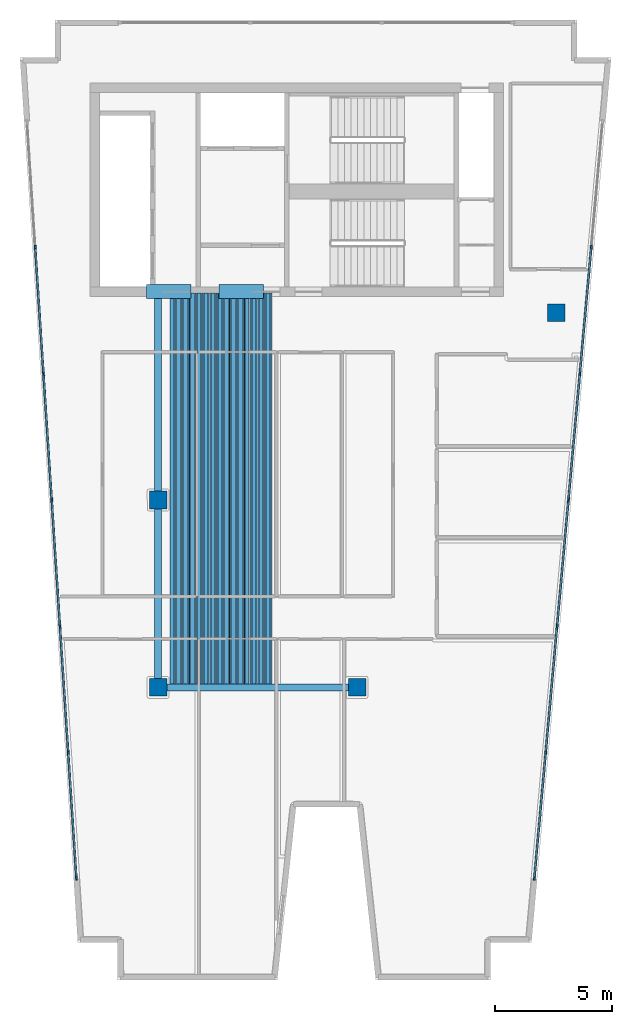
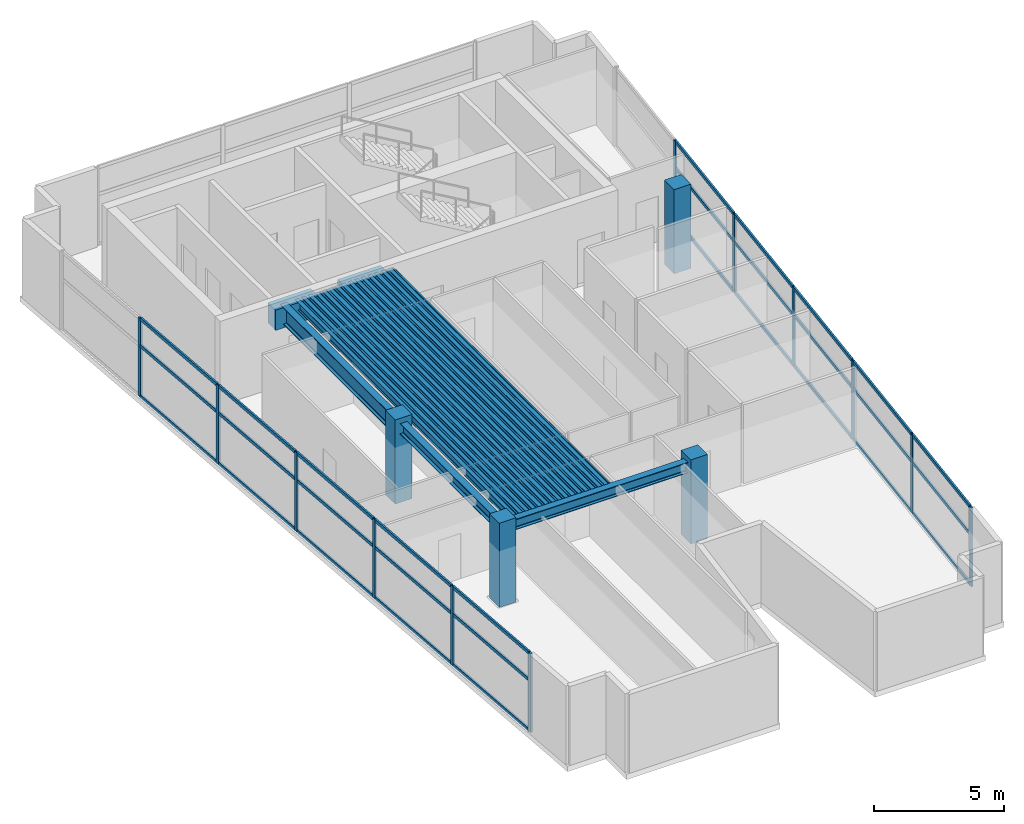
# One storey, part 1 of 7: 42 members, 35 beams, 4 columns, 2 elements without a shape of their own.
"""IFC4 building model written with IfcOpenShell, lengths in metres."""

from ifc_helpers import new_model, si_unit, direction, frame, origin, origin_2d, place, context, subcontext, project, spatial, rectangle, hollow_rectangle, i_section, extrude, material, layer, layer_set, material_profile, profile_set, type_object, element, aggregate, save


model = new_model("IFC4")

# Units and contexts
model_context = context("Model", 3, precision=1e-05, world=origin(), true_north=direction((0.0, 1.0)))
body_context = subcontext(model_context, "Body", "Model", "MODEL_VIEW")
ifc_project = project(units=[si_unit("LENGTHUNIT", "METRE"), si_unit("AREAUNIT", "SQUARE_METRE"), si_unit("VOLUMEUNIT", "CUBIC_METRE"), si_unit("PLANEANGLEUNIT", "RADIAN"), si_unit("MASSUNIT", "GRAM", prefix="KILO")], contexts=[model_context])

# Site, building, storey
site_placement = place(None, origin())
site = spatial("IfcSite", under=ifc_project, at=site_placement, CompositionType="ELEMENT")
building_placement = place(site_placement, origin())
building = spatial("IfcBuilding", under=site, at=building_placement, Name="Caeloran Harvest Quay", CompositionType="ELEMENT")
storey_placement = place(building_placement, frame((0.0, 0.0, 308.050048828125)))
storey = spatial("IfcBuildingStorey", under=building, at=storey_placement, Name="L74", CompositionType="ELEMENT", Elevation=308.050048828125)

# Columns
ifc_material_1 = material(Name="Concrete C60/75", Category="concrete")
ifc_material_profile_1 = material_profile(ifc_material_1, rectangle(XDim=0.75, YDim=0.75, at=origin_2d()), Name="RC 750x750")
ifc_profile_set_1 = profile_set([ifc_material_profile_1], Name="Concrete C60/75")
column_type = type_object("IfcColumnType", Name="COL-MC-5-RC_750x750", PredefinedType="COLUMN", material=ifc_profile_set_1)
for number, where, z_axis, x_axis, name in (
    (1, (8.5, 15.0, 0.0), (0.0, 0.0, 1.0), (1.0, 0.0, 0.0), "L74 Structural Column (8.5, 15.0)"),
    (2, (8.5, 23.0, 0.0), (0.0, 0.0, 1.0), (1.0, 0.0, 0.0), "L74 Structural Column (8.5, 23.0)"),
    (3, (17.0, 15.0, 0.0), (0.0, 0.0, 1.0), (1.0, 0.0, 0.0), "L74 Structural Column (17.0, 15.0)"),
    (4, (25.5, 31.0, 0.0), (0.0, 0.0, 1.0), (1.0, 0.0, 0.0), "L74 Structural Column (25.5, 31.0)"),
):
    element("IfcColumn", number, at=place(storey_placement, frame(where, z_axis=z_axis, x_axis=x_axis)), inside=storey, type_object=column_type, Name=name, PredefinedType="COLUMN", context=body_context, shape_type="SweptSolid", body=[
        extrude(rectangle(XDim=0.75, YDim=0.75, at=origin_2d()), origin(), (0.0, 0.0, 1.0), 3.949951171875),
    ])

# Beams
ifc_material_profile_2 = material_profile(ifc_material_1, rectangle(XDim=0.60009765625, YDim=0.949951171875, at=origin_2d()), Name="RC 600x950")
ifc_profile_set_2 = profile_set([ifc_material_profile_2], Name="Concrete C60/75")
beam_type_1 = type_object("IfcBeamType", Name="BM-CB-2-RC_600x950", PredefinedType="LINTEL", material=ifc_profile_set_2)
for number, where, z_axis, x_axis, name in (
    (5, (8.0, 31.89990234375, 3.224853515625), (1.0, 0.0, 0.0), (0.0, 1.0, 0.0), "L74 Core Coupling Beam 1"),
    (6, (11.10009765625, 31.89990234375, 3.224853515625), (1.0, 0.0, 0.0), (0.0, 1.0, 0.0), "L74 Core Coupling Beam 2"),
):
    element("IfcBeam", number, at=place(storey_placement, frame(where, z_axis=z_axis, x_axis=x_axis)), inside=storey, type_object=beam_type_1, Name=name, PredefinedType="LINTEL", context=body_context, shape_type="SweptSolid", body=[
        extrude(rectangle(XDim=0.60009765625, YDim=0.949951171875, at=origin_2d()), origin(), (0.0, 0.0, 1.0), 1.89990234375),
    ])
ifc_material_2 = material(Name="Steel S355J2", Category="steel")
ifc_material_profile_3 = material_profile(ifc_material_2, i_section(OverallWidth=0.300048828125, OverallDepth=0.800048828125, WebThickness=0.017578125, FlangeThickness=0.032958984375, FilletRadius=0.030029296875, at=origin_2d()), Name="HE 800 B")
ifc_profile_set_3 = profile_set([ifc_material_profile_3], Name="Steel S355J2")
beam_type_2 = type_object("IfcBeamType", Name="BM-PG-1-HE_800_B", PredefinedType="BEAM", material=ifc_profile_set_3)
beam_1_placement = place(storey_placement, frame((8.5, 23.0, 3.300048828125), z_axis=(0.0, 1.0, 0.0), x_axis=(-1.0, 0.0, 0.0)))
element("IfcBeam", 7, at=beam_1_placement, inside=storey, type_object=beam_type_2, Name="L74 Core South Tie Girder X=8.5", PredefinedType="BEAM", context=body_context, shape_type="SweptSolid", body=[
    extrude(i_section(OverallWidth=0.300048828125, OverallDepth=0.800048828125, WebThickness=0.017578125, FlangeThickness=0.032958984375, FilletRadius=0.030029296875, at=origin_2d()), origin(), (0.0, 0.0, 1.0), 8.85009765625),
])
ifc_material_profile_4 = material_profile(ifc_material_2, i_section(OverallWidth=0.300048828125, OverallDepth=0.5, WebThickness=0.014404296875, FlangeThickness=0.028076171875, FilletRadius=0.027099609375, at=origin_2d()), Name="HE 500 B")
ifc_profile_set_4 = profile_set([ifc_material_profile_4], Name="Steel S355J2")
beam_type_3 = type_object("IfcBeamType", Name="BM-PG-4-HE_500_B", PredefinedType="BEAM", material=ifc_profile_set_4)
beam_2_placement = place(storey_placement, frame((8.5, 15.0, 3.449951171875), z_axis=(1.0, 0.0, 0.0), x_axis=(0.0, 1.0, 0.0)))
element("IfcBeam", 8, at=beam_2_placement, inside=storey, type_object=beam_type_3, Name="L74 Primary East-West Girder Y=15.0", PredefinedType="BEAM", context=body_context, shape_type="SweptSolid", body=[
    extrude(i_section(OverallWidth=0.300048828125, OverallDepth=0.5, WebThickness=0.014404296875, FlangeThickness=0.028076171875, FilletRadius=0.027099609375, at=origin_2d()), origin(), (0.0, 0.0, 1.0), 8.5),
])
beam_3_placement = place(storey_placement, frame((8.5, 15.0, 3.449951171875), z_axis=(0.0, 1.0, 0.0), x_axis=(-1.0, 0.0, 0.0)))
element("IfcBeam", 9, at=beam_3_placement, inside=storey, type_object=beam_type_3, Name="L74 Primary North-South Girder X=8.5", PredefinedType="BEAM", context=body_context, shape_type="SweptSolid", body=[
    extrude(i_section(OverallWidth=0.300048828125, OverallDepth=0.5, WebThickness=0.014404296875, FlangeThickness=0.028076171875, FilletRadius=0.027099609375, at=origin_2d()), origin(), (0.0, 0.0, 1.0), 8.0),
])
ifc_material_profile_5 = material_profile(ifc_material_2, i_section(OverallWidth=0.169921875, OverallDepth=0.360107421875, WebThickness=0.008056640625, FlangeThickness=0.0126953125, FilletRadius=0.01806640625, at=origin_2d()), Name="IPE 360")
ifc_profile_set_5 = profile_set([ifc_material_profile_5], Name="Steel S355J2")
beam_type_4 = type_object("IfcBeamType", Name="BM-SB-5-IPE_360", PredefinedType="JOIST", material=ifc_profile_set_5)
for number, where, z_axis, x_axis, name in (
    (10, (9.086181640625, 15.14501953125, 3.52001953125), (0.0, 1.0, 0.0), (-1.0, 0.0, 0.0), "L74 Secondary Composite Joist"),
    (11, (9.37939453125, 15.14501953125, 3.52001953125), (0.0, 1.0, 0.0), (-1.0, 0.0, 0.0), "L74 Secondary Composite Joist"),
    (12, (9.67236328125, 15.14501953125, 3.52001953125), (0.0, 1.0, 0.0), (-1.0, 0.0, 0.0), "L74 Secondary Composite Joist"),
    (13, (9.965576171875, 15.14501953125, 3.52001953125), (0.0, 1.0, 0.0), (-1.0, 0.0, 0.0), "L74 Secondary Composite Joist"),
    (14, (10.258544921875, 15.14501953125, 3.52001953125), (0.0, 1.0, 0.0), (-1.0, 0.0, 0.0), "L74 Secondary Composite Joist"),
    (15, (10.5517578125, 15.14501953125, 3.52001953125), (0.0, 1.0, 0.0), (-1.0, 0.0, 0.0), "L74 Secondary Composite Joist"),
    (16, (10.8447265625, 15.14501953125, 3.52001953125), (0.0, 1.0, 0.0), (-1.0, 0.0, 0.0), "L74 Secondary Composite Joist"),
    (17, (11.137939453125, 15.14501953125, 3.52001953125), (0.0, 1.0, 0.0), (-1.0, 0.0, 0.0), "L74 Secondary Composite Joist"),
    (18, (11.430908203125, 15.14501953125, 3.52001953125), (0.0, 1.0, 0.0), (-1.0, 0.0, 0.0), "L74 Secondary Composite Joist"),
    (19, (11.72412109375, 15.14501953125, 3.52001953125), (0.0, 1.0, 0.0), (-1.0, 0.0, 0.0), "L74 Secondary Composite Joist"),
    (20, (12.01708984375, 15.14501953125, 3.52001953125), (0.0, 1.0, 0.0), (-1.0, 0.0, 0.0), "L74 Secondary Composite Joist"),
    (21, (12.310302734375, 15.14501953125, 3.52001953125), (0.0, 1.0, 0.0), (-1.0, 0.0, 0.0), "L74 Secondary Composite Joist"),
    (22, (12.603515625, 15.14501953125, 3.52001953125), (0.0, 1.0, 0.0), (-1.0, 0.0, 0.0), "L74 Secondary Composite Joist"),
    (23, (12.896484375, 15.14501953125, 3.52001953125), (0.0, 1.0, 0.0), (-1.0, 0.0, 0.0), "L74 Secondary Composite Joist"),
    (24, (13.189697265625, 15.14501953125, 3.52001953125), (0.0, 1.0, 0.0), (-1.0, 0.0, 0.0), "L74 Secondary Composite Joist"),
):
    element("IfcBeam", number, at=place(storey_placement, frame(where, z_axis=z_axis, x_axis=x_axis)), inside=storey, type_object=beam_type_4, Name=name, PredefinedType="JOIST", context=body_context, shape_type="SweptSolid", body=[
        extrude(i_section(OverallWidth=0.169921875, OverallDepth=0.360107421875, WebThickness=0.008056640625, FlangeThickness=0.0126953125, FilletRadius=0.01806640625, at=origin_2d()), origin(), (0.0, 0.0, 1.0), 16.705078125),
    ])
ifc_material_profile_6 = material_profile(ifc_material_2, hollow_rectangle(XDim=0.080078125, YDim=0.199951171875, WallThickness=0.006103515625, InnerFilletRadius=0.006103515625, OuterFilletRadius=0.009033203125, at=origin_2d()), Name="RHS 200x80x6")
ifc_profile_set_6 = profile_set([ifc_material_profile_6], Name="Steel S355J2")
beam_type_5 = type_object("IfcBeamType", Name="BM-SB-7-RHS_200x80x6", PredefinedType="JOIST", material=ifc_profile_set_6)
for number, where, z_axis, x_axis, name in (
    (25, (9.23291015625, 15.14501953125, 3.599853515625), (0.0, 1.0, 0.0), (-1.0, 0.0, 0.0), "L74 Secondary Composite Joist"),
    (26, (9.52587890625, 15.14501953125, 3.599853515625), (0.0, 1.0, 0.0), (-1.0, 0.0, 0.0), "L74 Secondary Composite Joist"),
    (27, (9.819091796875, 15.14501953125, 3.599853515625), (0.0, 1.0, 0.0), (-1.0, 0.0, 0.0), "L74 Secondary Composite Joist"),
    (28, (10.112060546875, 15.14501953125, 3.599853515625), (0.0, 1.0, 0.0), (-1.0, 0.0, 0.0), "L74 Secondary Composite Joist"),
    (29, (10.4052734375, 15.14501953125, 3.599853515625), (0.0, 1.0, 0.0), (-1.0, 0.0, 0.0), "L74 Secondary Composite Joist"),
    (30, (10.6982421875, 15.14501953125, 3.599853515625), (0.0, 1.0, 0.0), (-1.0, 0.0, 0.0), "L74 Secondary Composite Joist"),
    (31, (10.991455078125, 15.14501953125, 3.599853515625), (0.0, 1.0, 0.0), (-1.0, 0.0, 0.0), "L74 Secondary Composite Joist"),
    (32, (11.284423828125, 15.14501953125, 3.599853515625), (0.0, 1.0, 0.0), (-1.0, 0.0, 0.0), "L74 Secondary Composite Joist"),
    (33, (11.57763671875, 15.14501953125, 3.599853515625), (0.0, 1.0, 0.0), (-1.0, 0.0, 0.0), "L74 Secondary Composite Joist"),
    (34, (11.87060546875, 15.14501953125, 3.599853515625), (0.0, 1.0, 0.0), (-1.0, 0.0, 0.0), "L74 Secondary Composite Joist"),
    (35, (12.163818359375, 15.14501953125, 3.599853515625), (0.0, 1.0, 0.0), (-1.0, 0.0, 0.0), "L74 Secondary Composite Joist"),
    (36, (12.456787109375, 15.14501953125, 3.599853515625), (0.0, 1.0, 0.0), (-1.0, 0.0, 0.0), "L74 Secondary Composite Joist"),
    (37, (12.75, 15.14501953125, 3.599853515625), (0.0, 1.0, 0.0), (-1.0, 0.0, 0.0), "L74 Secondary Composite Joist"),
    (38, (13.043212890625, 15.14501953125, 3.599853515625), (0.0, 1.0, 0.0), (-1.0, 0.0, 0.0), "L74 Secondary Composite Joist"),
    (39, (13.336181640625, 15.14501953125, 3.599853515625), (0.0, 1.0, 0.0), (-1.0, 0.0, 0.0), "L74 Secondary Composite Joist"),
):
    element("IfcBeam", number, at=place(storey_placement, frame(where, z_axis=z_axis, x_axis=x_axis)), inside=storey, type_object=beam_type_5, Name=name, PredefinedType="JOIST", context=body_context, shape_type="SweptSolid", body=[
        extrude(hollow_rectangle(XDim=0.080078125, YDim=0.199951171875, WallThickness=0.006103515625, InnerFilletRadius=0.006103515625, OuterFilletRadius=0.009033203125, at=origin_2d()), origin(), (0.0, 0.0, 1.0), 16.705078125),
    ])

# Curtain wall, members
ifc_material_3 = material(Name="Aluminium 6063-T6 and Low-E Glazing", Category="aluminium")
ifc_layer = layer(ifc_material_3, 0.239990234375, Name="Aluminium 6063-T6 and Low-E Glazing")
ifc_layer_set = layer_set([ifc_layer], Name="Aluminium 6063-T6 and Low-E Glazing")
curtain_wall_type = type_object("IfcCurtainWallType", Name="CW-SYS-CW-7", PredefinedType="USERDEFINED", material=ifc_layer_set)
curtain_wall_1_placement = place(storey_placement, origin())
curtain_wall_1 = element("IfcCurtainWall", 40, at=curtain_wall_1_placement, inside=storey, type_object=curtain_wall_type, Name="L74 Unitised Curtain Wall CW-7 Run 3", ObjectType="CURTAIN_WALL", PredefinedType="USERDEFINED")
ifc_material_4 = material(Name="Aluminium 6063-T6", Category="aluminium")
ifc_material_profile_7 = material_profile(ifc_material_4, rectangle(XDim=0.080078125, YDim=0.179931640625, at=origin_2d()), Name="CW-MULLION-180")
ifc_profile_set_7 = profile_set([ifc_material_profile_7], Name="Aluminium 6063-T6")
member_type_1 = type_object("IfcMemberType", Name="CW-MULLION-180", PredefinedType="MULLION", material=ifc_profile_set_7)
member_1_placement = place(storey_placement, frame((5.013427734375, 6.8544921875, 0.0), z_axis=(0.0, 0.0, 1.0), x_axis=(-0.997874401106, -0.065166552901, 0.0)))
member_1 = element("IfcMember", 41, at=member_1_placement, type_object=member_type_1, Name="CW-7 mullion 1", PredefinedType="MULLION", context=body_context, shape_type="SweptSolid", body=[
    extrude(rectangle(XDim=0.080078125, YDim=0.179931640625, at=origin_2d()), origin(), (0.0, 0.0, 1.0), 3.699951171875),
])
member_2_placement = place(storey_placement, frame((4.66357421875, 12.209716796875, 0.0), z_axis=(0.0, 0.0, 1.0), x_axis=(-0.997874401106, -0.065166552901, 0.0)))
member_2 = element("IfcMember", 42, at=member_2_placement, type_object=member_type_1, Name="CW-7 mullion 2", PredefinedType="MULLION", context=body_context, shape_type="SweptSolid", body=[
    extrude(rectangle(XDim=0.080078125, YDim=0.179931640625, at=origin_2d()), origin(), (0.0, 0.0, 1.0), 3.699951171875),
])
member_3_placement = place(storey_placement, frame((4.311279296875, 17.604736328125, 0.0), z_axis=(0.0, 0.0, 1.0), x_axis=(-0.997874401106, -0.065166552901, 0.0)))
member_3 = element("IfcMember", 43, at=member_3_placement, type_object=member_type_1, Name="CW-7 mullion 3", PredefinedType="MULLION", context=body_context, shape_type="SweptSolid", body=[
    extrude(rectangle(XDim=0.080078125, YDim=0.179931640625, at=origin_2d()), origin(), (0.0, 0.0, 1.0), 3.699951171875),
])
member_4_placement = place(storey_placement, frame((3.958984375, 23.0, 0.0), z_axis=(0.0, 0.0, 1.0), x_axis=(-0.997874401106, -0.065166552901, 0.0)))
member_4 = element("IfcMember", 44, at=member_4_placement, type_object=member_type_1, Name="CW-7 mullion 4", PredefinedType="MULLION", context=body_context, shape_type="SweptSolid", body=[
    extrude(rectangle(XDim=0.080078125, YDim=0.179931640625, at=origin_2d()), origin(), (0.0, 0.0, 1.0), 3.699951171875),
])
member_5_placement = place(storey_placement, frame((3.606689453125, 28.395263671875, 0.0), z_axis=(0.0, 0.0, 1.0), x_axis=(-0.997874401106, -0.065166552901, 0.0)))
member_5 = element("IfcMember", 45, at=member_5_placement, type_object=member_type_1, Name="CW-7 mullion 5", PredefinedType="MULLION", context=body_context, shape_type="SweptSolid", body=[
    extrude(rectangle(XDim=0.080078125, YDim=0.179931640625, at=origin_2d()), origin(), (0.0, 0.0, 1.0), 3.699951171875),
])
member_6_placement = place(storey_placement, frame((3.25439453125, 33.790283203125, 0.0), z_axis=(0.0, 0.0, 1.0), x_axis=(-0.997874401106, -0.065166552901, 0.0)))
member_6 = element("IfcMember", 46, at=member_6_placement, type_object=member_type_1, Name="CW-7 mullion 6", PredefinedType="MULLION", context=body_context, shape_type="SweptSolid", body=[
    extrude(rectangle(XDim=0.080078125, YDim=0.179931640625, at=origin_2d()), origin(), (0.0, 0.0, 1.0), 3.699951171875),
])

curtain_wall_2_placement = place(storey_placement, origin())
curtain_wall_2 = element("IfcCurtainWall", 47, at=curtain_wall_2_placement, inside=storey, type_object=curtain_wall_type, Name="L74 Unitised Curtain Wall CW-7 Run 9", ObjectType="CURTAIN_WALL", PredefinedType="USERDEFINED")
member_7_placement = place(storey_placement, frame((27.004150390625, 33.793701171875, 0.0), z_axis=(0.0, 0.0, 1.0), x_axis=(0.995957918918, -0.089821065146, 0.0)))
member_7 = element("IfcMember", 48, at=member_7_placement, type_object=member_type_1, Name="CW-7 mullion 2", PredefinedType="MULLION", context=body_context, shape_type="SweptSolid", body=[
    extrude(rectangle(XDim=0.080078125, YDim=0.179931640625, at=origin_2d()), origin(), (0.0, 0.0, 1.0), 3.699951171875),
])
member_8_placement = place(storey_placement, frame((26.517578125, 28.396728515625, 0.0), z_axis=(0.0, 0.0, 1.0), x_axis=(0.995957918918, -0.089821065146, 0.0)))
member_8 = element("IfcMember", 49, at=member_8_placement, type_object=member_type_1, Name="CW-7 mullion 3", PredefinedType="MULLION", context=body_context, shape_type="SweptSolid", body=[
    extrude(rectangle(XDim=0.080078125, YDim=0.179931640625, at=origin_2d()), origin(), (0.0, 0.0, 1.0), 3.699951171875),
])
member_9_placement = place(storey_placement, frame((26.03076171875, 23.0, 0.0), z_axis=(0.0, 0.0, 1.0), x_axis=(0.995957918918, -0.089821065146, 0.0)))
member_9 = element("IfcMember", 50, at=member_9_placement, type_object=member_type_1, Name="CW-7 mullion 4", PredefinedType="MULLION", context=body_context, shape_type="SweptSolid", body=[
    extrude(rectangle(XDim=0.080078125, YDim=0.179931640625, at=origin_2d()), origin(), (0.0, 0.0, 1.0), 3.699951171875),
])
member_10_placement = place(storey_placement, frame((25.5439453125, 17.603271484375, 0.0), z_axis=(0.0, 0.0, 1.0), x_axis=(0.995957918918, -0.089821065146, 0.0)))
member_10 = element("IfcMember", 51, at=member_10_placement, type_object=member_type_1, Name="CW-7 mullion 5", PredefinedType="MULLION", context=body_context, shape_type="SweptSolid", body=[
    extrude(rectangle(XDim=0.080078125, YDim=0.179931640625, at=origin_2d()), origin(), (0.0, 0.0, 1.0), 3.699951171875),
])
member_11_placement = place(storey_placement, frame((25.057373046875, 12.206298828125, 0.0), z_axis=(0.0, 0.0, 1.0), x_axis=(0.995957918918, -0.089821065146, 0.0)))
member_11 = element("IfcMember", 52, at=member_11_placement, type_object=member_type_1, Name="CW-7 mullion 6", PredefinedType="MULLION", context=body_context, shape_type="SweptSolid", body=[
    extrude(rectangle(XDim=0.080078125, YDim=0.179931640625, at=origin_2d()), origin(), (0.0, 0.0, 1.0), 3.699951171875),
])
member_12_placement = place(storey_placement, frame((24.57421875, 6.849365234375, 0.0), z_axis=(0.0, 0.0, 1.0), x_axis=(0.995957918918, -0.089821065146, 0.0)))
member_12 = element("IfcMember", 53, at=member_12_placement, type_object=member_type_1, Name="CW-7 mullion 7", PredefinedType="MULLION", context=body_context, shape_type="SweptSolid", body=[
    extrude(rectangle(XDim=0.080078125, YDim=0.179931640625, at=origin_2d()), origin(), (0.0, 0.0, 1.0), 3.699951171875),
])

# Member
ifc_material_profile_8 = material_profile(ifc_material_4, rectangle(XDim=0.080078125, YDim=0.14990234375, at=origin_2d()), Name="CW-TRANSOM-150")
ifc_profile_set_8 = profile_set([ifc_material_profile_8], Name="Aluminium 6063-T6")
member_type_2 = type_object("IfcMemberType", Name="CW-TRANSOM-150", PredefinedType="USERDEFINED", material=ifc_profile_set_8)
member_13_placement = place(storey_placement, frame((5.0107421875, 6.894287109375, 0.0400390625), z_axis=(-0.065161110765, 0.997874756492, 0.0), x_axis=(-0.997874756492, -0.065161110765, 0.0)))
member_13 = element("IfcMember", 54, at=member_13_placement, type_object=member_type_2, Name="CW-7 transom 1.1", ObjectType="TRANSOM", PredefinedType="USERDEFINED", context=body_context, shape_type="SweptSolid", body=[
    extrude(rectangle(XDim=0.080078125, YDim=0.14990234375, at=origin_2d()), origin(), (0.0, 0.0, 1.0), 5.28662109375),
])

member_14_placement = place(storey_placement, frame((5.0107421875, 6.894287109375, 2.39990234375), z_axis=(-0.065161110765, 0.997874756492, 0.0), x_axis=(-0.997874756492, -0.065161110765, 0.0)))
member_14 = element("IfcMember", 55, at=member_14_placement, type_object=member_type_2, Name="CW-7 transom 1.2", ObjectType="TRANSOM", PredefinedType="USERDEFINED", context=body_context, shape_type="SweptSolid", body=[
    extrude(rectangle(XDim=0.080078125, YDim=0.14990234375, at=origin_2d()), origin(), (0.0, 0.0, 1.0), 5.28662109375),
])

member_15_placement = place(storey_placement, frame((5.0107421875, 6.894287109375, 3.659912109375), z_axis=(-0.065161110765, 0.997874756492, 0.0), x_axis=(-0.997874756492, -0.065161110765, 0.0)))
member_15 = element("IfcMember", 56, at=member_15_placement, type_object=member_type_2, Name="CW-7 transom 1.3", ObjectType="TRANSOM", PredefinedType="USERDEFINED", context=body_context, shape_type="SweptSolid", body=[
    extrude(rectangle(XDim=0.080078125, YDim=0.14990234375, at=origin_2d()), origin(), (0.0, 0.0, 1.0), 5.28662109375),
])

member_16_placement = place(storey_placement, frame((4.6611328125, 12.24951171875, 0.0400390625), z_axis=(-0.065174383207, 0.997873889714, 0.0), x_axis=(-0.997873889714, -0.065174383207, 0.0)))
member_16 = element("IfcMember", 57, at=member_16_placement, type_object=member_type_2, Name="CW-7 transom 2.1", ObjectType="TRANSOM", PredefinedType="USERDEFINED", context=body_context, shape_type="SweptSolid", body=[
    extrude(rectangle(XDim=0.080078125, YDim=0.14990234375, at=origin_2d()), origin(), (0.0, 0.0, 1.0), 5.32666015625),
])

member_17_placement = place(storey_placement, frame((4.6611328125, 12.24951171875, 2.39990234375), z_axis=(-0.065174383207, 0.997873889714, 0.0), x_axis=(-0.997873889714, -0.065174383207, 0.0)))
member_17 = element("IfcMember", 58, at=member_17_placement, type_object=member_type_2, Name="CW-7 transom 2.2", ObjectType="TRANSOM", PredefinedType="USERDEFINED", context=body_context, shape_type="SweptSolid", body=[
    extrude(rectangle(XDim=0.080078125, YDim=0.14990234375, at=origin_2d()), origin(), (0.0, 0.0, 1.0), 5.32666015625),
])

member_18_placement = place(storey_placement, frame((4.6611328125, 12.24951171875, 3.659912109375), z_axis=(-0.065174383207, 0.997873889714, 0.0), x_axis=(-0.997873889714, -0.065174383207, 0.0)))
member_18 = element("IfcMember", 59, at=member_18_placement, type_object=member_type_2, Name="CW-7 transom 2.3", ObjectType="TRANSOM", PredefinedType="USERDEFINED", context=body_context, shape_type="SweptSolid", body=[
    extrude(rectangle(XDim=0.080078125, YDim=0.14990234375, at=origin_2d()), origin(), (0.0, 0.0, 1.0), 5.32666015625),
])

member_19_placement = place(storey_placement, frame((4.308837890625, 17.644775390625, 0.0400390625), z_axis=(-0.065174383207, 0.997873889714, 0.0), x_axis=(-0.997873889714, -0.065174383207, 0.0)))
member_19 = element("IfcMember", 60, at=member_19_placement, type_object=member_type_2, Name="CW-7 transom 3.1", ObjectType="TRANSOM", PredefinedType="USERDEFINED", context=body_context, shape_type="SweptSolid", body=[
    extrude(rectangle(XDim=0.080078125, YDim=0.14990234375, at=origin_2d()), origin(), (0.0, 0.0, 1.0), 5.32666015625),
])

member_20_placement = place(storey_placement, frame((4.308837890625, 17.644775390625, 2.39990234375), z_axis=(-0.065174383207, 0.997873889714, 0.0), x_axis=(-0.997873889714, -0.065174383207, 0.0)))
member_20 = element("IfcMember", 61, at=member_20_placement, type_object=member_type_2, Name="CW-7 transom 3.2", ObjectType="TRANSOM", PredefinedType="USERDEFINED", context=body_context, shape_type="SweptSolid", body=[
    extrude(rectangle(XDim=0.080078125, YDim=0.14990234375, at=origin_2d()), origin(), (0.0, 0.0, 1.0), 5.32666015625),
])

member_21_placement = place(storey_placement, frame((4.308837890625, 17.644775390625, 3.659912109375), z_axis=(-0.065174383207, 0.997873889714, 0.0), x_axis=(-0.997873889714, -0.065174383207, 0.0)))
member_21 = element("IfcMember", 62, at=member_21_placement, type_object=member_type_2, Name="CW-7 transom 3.3", ObjectType="TRANSOM", PredefinedType="USERDEFINED", context=body_context, shape_type="SweptSolid", body=[
    extrude(rectangle(XDim=0.080078125, YDim=0.14990234375, at=origin_2d()), origin(), (0.0, 0.0, 1.0), 5.32666015625),
])

member_22_placement = place(storey_placement, frame((3.956298828125, 23.039794921875, 0.0400390625), z_axis=(-0.065128744787, 0.99787686946, 0.0), x_axis=(-0.99787686946, -0.065128744787, 0.0)))
member_22 = element("IfcMember", 63, at=member_22_placement, type_object=member_type_2, Name="CW-7 transom 4.1", ObjectType="TRANSOM", PredefinedType="USERDEFINED", context=body_context, shape_type="SweptSolid", body=[
    extrude(rectangle(XDim=0.080078125, YDim=0.14990234375, at=origin_2d()), origin(), (0.0, 0.0, 1.0), 5.32666015625),
])

member_23_placement = place(storey_placement, frame((3.956298828125, 23.039794921875, 2.39990234375), z_axis=(-0.065128744787, 0.99787686946, 0.0), x_axis=(-0.99787686946, -0.065128744787, 0.0)))
member_23 = element("IfcMember", 64, at=member_23_placement, type_object=member_type_2, Name="CW-7 transom 4.2", ObjectType="TRANSOM", PredefinedType="USERDEFINED", context=body_context, shape_type="SweptSolid", body=[
    extrude(rectangle(XDim=0.080078125, YDim=0.14990234375, at=origin_2d()), origin(), (0.0, 0.0, 1.0), 5.32666015625),
])

member_24_placement = place(storey_placement, frame((3.956298828125, 23.039794921875, 3.659912109375), z_axis=(-0.065128744787, 0.99787686946, 0.0), x_axis=(-0.99787686946, -0.065128744787, 0.0)))
member_24 = element("IfcMember", 65, at=member_24_placement, type_object=member_type_2, Name="CW-7 transom 4.3", ObjectType="TRANSOM", PredefinedType="USERDEFINED", context=body_context, shape_type="SweptSolid", body=[
    extrude(rectangle(XDim=0.080078125, YDim=0.14990234375, at=origin_2d()), origin(), (0.0, 0.0, 1.0), 5.32666015625),
])

member_25_placement = place(storey_placement, frame((3.60400390625, 28.43505859375, 0.0400390625), z_axis=(-0.065174383207, 0.997873889714, 0.0), x_axis=(-0.997873889714, -0.065174383207, 0.0)))
member_25 = element("IfcMember", 66, at=member_25_placement, type_object=member_type_2, Name="CW-7 transom 5.1", ObjectType="TRANSOM", PredefinedType="USERDEFINED", context=body_context, shape_type="SweptSolid", body=[
    extrude(rectangle(XDim=0.080078125, YDim=0.14990234375, at=origin_2d()), origin(), (0.0, 0.0, 1.0), 5.32666015625),
])

member_26_placement = place(storey_placement, frame((3.60400390625, 28.43505859375, 2.39990234375), z_axis=(-0.065174383207, 0.997873889714, 0.0), x_axis=(-0.997873889714, -0.065174383207, 0.0)))
member_26 = element("IfcMember", 67, at=member_26_placement, type_object=member_type_2, Name="CW-7 transom 5.2", ObjectType="TRANSOM", PredefinedType="USERDEFINED", context=body_context, shape_type="SweptSolid", body=[
    extrude(rectangle(XDim=0.080078125, YDim=0.14990234375, at=origin_2d()), origin(), (0.0, 0.0, 1.0), 5.32666015625),
])

member_27_placement = place(storey_placement, frame((3.60400390625, 28.43505859375, 3.659912109375), z_axis=(-0.065174383207, 0.997873889714, 0.0), x_axis=(-0.997873889714, -0.065174383207, 0.0)))
member_27 = element("IfcMember", 68, at=member_27_placement, type_object=member_type_2, Name="CW-7 transom 5.3", ObjectType="TRANSOM", PredefinedType="USERDEFINED", context=body_context, shape_type="SweptSolid", body=[
    extrude(rectangle(XDim=0.080078125, YDim=0.14990234375, at=origin_2d()), origin(), (0.0, 0.0, 1.0), 5.32666015625),
])

aggregate(curtain_wall_1, [member_1, member_2, member_3, member_4, member_5, member_6, member_13, member_14, member_15, member_16, member_17, member_18, member_19, member_20, member_21, member_22, member_23, member_24, member_25, member_26, member_27])

member_28_placement = place(storey_placement, frame((27.00048828125, 33.75390625, 0.0400390625), z_axis=(-0.089814159323, -0.9959585417, 0.0), x_axis=(0.9959585417, -0.089814159323, 0.0)))
member_28 = element("IfcMember", 69, at=member_28_placement, type_object=member_type_2, Name="CW-7 transom 2.1", ObjectType="TRANSOM", PredefinedType="USERDEFINED", context=body_context, shape_type="SweptSolid", body=[
    extrude(rectangle(XDim=0.080078125, YDim=0.14990234375, at=origin_2d()), origin(), (0.0, 0.0, 1.0), 5.338623046875),
])

member_29_placement = place(storey_placement, frame((27.00048828125, 33.75390625, 2.39990234375), z_axis=(-0.089814159323, -0.9959585417, 0.0), x_axis=(0.9959585417, -0.089814159323, 0.0)))
member_29 = element("IfcMember", 70, at=member_29_placement, type_object=member_type_2, Name="CW-7 transom 2.2", ObjectType="TRANSOM", PredefinedType="USERDEFINED", context=body_context, shape_type="SweptSolid", body=[
    extrude(rectangle(XDim=0.080078125, YDim=0.14990234375, at=origin_2d()), origin(), (0.0, 0.0, 1.0), 5.338623046875),
])

member_30_placement = place(storey_placement, frame((27.00048828125, 33.75390625, 3.659912109375), z_axis=(-0.089814159323, -0.9959585417, 0.0), x_axis=(0.9959585417, -0.089814159323, 0.0)))
member_30 = element("IfcMember", 71, at=member_30_placement, type_object=member_type_2, Name="CW-7 transom 2.3", ObjectType="TRANSOM", PredefinedType="USERDEFINED", context=body_context, shape_type="SweptSolid", body=[
    extrude(rectangle(XDim=0.080078125, YDim=0.14990234375, at=origin_2d()), origin(), (0.0, 0.0, 1.0), 5.338623046875),
])

member_31_placement = place(storey_placement, frame((26.513916015625, 28.35693359375, 0.0400390625), z_axis=(-0.089814159323, -0.9959585417, 0.0), x_axis=(0.9959585417, -0.089814159323, 0.0)))
member_31 = element("IfcMember", 72, at=member_31_placement, type_object=member_type_2, Name="CW-7 transom 3.1", ObjectType="TRANSOM", PredefinedType="USERDEFINED", context=body_context, shape_type="SweptSolid", body=[
    extrude(rectangle(XDim=0.080078125, YDim=0.14990234375, at=origin_2d()), origin(), (0.0, 0.0, 1.0), 5.338623046875),
])

member_32_placement = place(storey_placement, frame((26.513916015625, 28.35693359375, 2.39990234375), z_axis=(-0.089814159323, -0.9959585417, 0.0), x_axis=(0.9959585417, -0.089814159323, 0.0)))
member_32 = element("IfcMember", 73, at=member_32_placement, type_object=member_type_2, Name="CW-7 transom 3.2", ObjectType="TRANSOM", PredefinedType="USERDEFINED", context=body_context, shape_type="SweptSolid", body=[
    extrude(rectangle(XDim=0.080078125, YDim=0.14990234375, at=origin_2d()), origin(), (0.0, 0.0, 1.0), 5.338623046875),
])

member_33_placement = place(storey_placement, frame((26.513916015625, 28.35693359375, 3.659912109375), z_axis=(-0.089814159323, -0.9959585417, 0.0), x_axis=(0.9959585417, -0.089814159323, 0.0)))
member_33 = element("IfcMember", 74, at=member_33_placement, type_object=member_type_2, Name="CW-7 transom 3.3", ObjectType="TRANSOM", PredefinedType="USERDEFINED", context=body_context, shape_type="SweptSolid", body=[
    extrude(rectangle(XDim=0.080078125, YDim=0.14990234375, at=origin_2d()), origin(), (0.0, 0.0, 1.0), 5.338623046875),
])

member_34_placement = place(storey_placement, frame((26.027099609375, 22.960205078125, 0.0400390625), z_axis=(-0.089814159323, -0.9959585417, 0.0), x_axis=(0.9959585417, -0.089814159323, 0.0)))
member_34 = element("IfcMember", 75, at=member_34_placement, type_object=member_type_2, Name="CW-7 transom 4.1", ObjectType="TRANSOM", PredefinedType="USERDEFINED", context=body_context, shape_type="SweptSolid", body=[
    extrude(rectangle(XDim=0.080078125, YDim=0.14990234375, at=origin_2d()), origin(), (0.0, 0.0, 1.0), 5.338623046875),
])

member_35_placement = place(storey_placement, frame((26.027099609375, 22.960205078125, 2.39990234375), z_axis=(-0.089814159323, -0.9959585417, 0.0), x_axis=(0.9959585417, -0.089814159323, 0.0)))
member_35 = element("IfcMember", 76, at=member_35_placement, type_object=member_type_2, Name="CW-7 transom 4.2", ObjectType="TRANSOM", PredefinedType="USERDEFINED", context=body_context, shape_type="SweptSolid", body=[
    extrude(rectangle(XDim=0.080078125, YDim=0.14990234375, at=origin_2d()), origin(), (0.0, 0.0, 1.0), 5.338623046875),
])

member_36_placement = place(storey_placement, frame((26.027099609375, 22.960205078125, 3.659912109375), z_axis=(-0.089814159323, -0.9959585417, 0.0), x_axis=(0.9959585417, -0.089814159323, 0.0)))
member_36 = element("IfcMember", 77, at=member_36_placement, type_object=member_type_2, Name="CW-7 transom 4.3", ObjectType="TRANSOM", PredefinedType="USERDEFINED", context=body_context, shape_type="SweptSolid", body=[
    extrude(rectangle(XDim=0.080078125, YDim=0.14990234375, at=origin_2d()), origin(), (0.0, 0.0, 1.0), 5.338623046875),
])

member_37_placement = place(storey_placement, frame((25.54052734375, 17.563232421875, 0.0400390625), z_axis=(-0.089859520381, -0.995954450061, 0.0), x_axis=(0.995954450061, -0.089859520381, 0.0)))
member_37 = element("IfcMember", 78, at=member_37_placement, type_object=member_type_2, Name="CW-7 transom 5.1", ObjectType="TRANSOM", PredefinedType="USERDEFINED", context=body_context, shape_type="SweptSolid", body=[
    extrude(rectangle(XDim=0.080078125, YDim=0.14990234375, at=origin_2d()), origin(), (0.0, 0.0, 1.0), 5.338623046875),
])

member_38_placement = place(storey_placement, frame((25.54052734375, 17.563232421875, 2.39990234375), z_axis=(-0.089859520381, -0.995954450061, 0.0), x_axis=(0.995954450061, -0.089859520381, 0.0)))
member_38 = element("IfcMember", 79, at=member_38_placement, type_object=member_type_2, Name="CW-7 transom 5.2", ObjectType="TRANSOM", PredefinedType="USERDEFINED", context=body_context, shape_type="SweptSolid", body=[
    extrude(rectangle(XDim=0.080078125, YDim=0.14990234375, at=origin_2d()), origin(), (0.0, 0.0, 1.0), 5.338623046875),
])

member_39_placement = place(storey_placement, frame((25.54052734375, 17.563232421875, 3.659912109375), z_axis=(-0.089859520381, -0.995954450061, 0.0), x_axis=(0.995954450061, -0.089859520381, 0.0)))
member_39 = element("IfcMember", 80, at=member_39_placement, type_object=member_type_2, Name="CW-7 transom 5.3", ObjectType="TRANSOM", PredefinedType="USERDEFINED", context=body_context, shape_type="SweptSolid", body=[
    extrude(rectangle(XDim=0.080078125, YDim=0.14990234375, at=origin_2d()), origin(), (0.0, 0.0, 1.0), 5.338623046875),
])

member_40_placement = place(storey_placement, frame((25.0537109375, 12.16650390625, 0.0400390625), z_axis=(-0.089800407778, -0.995959781699, 0.0), x_axis=(0.995959781699, -0.089800407778, 0.0)))
member_40 = element("IfcMember", 81, at=member_40_placement, type_object=member_type_2, Name="CW-7 transom 6.1", ObjectType="TRANSOM", PredefinedType="USERDEFINED", context=body_context, shape_type="SweptSolid", body=[
    extrude(rectangle(XDim=0.080078125, YDim=0.14990234375, at=origin_2d()), origin(), (0.0, 0.0, 1.0), 5.298828125),
])

member_41_placement = place(storey_placement, frame((25.0537109375, 12.16650390625, 2.39990234375), z_axis=(-0.089800407778, -0.995959781699, 0.0), x_axis=(0.995959781699, -0.089800407778, 0.0)))
member_41 = element("IfcMember", 82, at=member_41_placement, type_object=member_type_2, Name="CW-7 transom 6.2", ObjectType="TRANSOM", PredefinedType="USERDEFINED", context=body_context, shape_type="SweptSolid", body=[
    extrude(rectangle(XDim=0.080078125, YDim=0.14990234375, at=origin_2d()), origin(), (0.0, 0.0, 1.0), 5.298828125),
])

member_42_placement = place(storey_placement, frame((25.0537109375, 12.16650390625, 3.659912109375), z_axis=(-0.089800407778, -0.995959781699, 0.0), x_axis=(0.995959781699, -0.089800407778, 0.0)))
member_42 = element("IfcMember", 83, at=member_42_placement, type_object=member_type_2, Name="CW-7 transom 6.3", ObjectType="TRANSOM", PredefinedType="USERDEFINED", context=body_context, shape_type="SweptSolid", body=[
    extrude(rectangle(XDim=0.080078125, YDim=0.14990234375, at=origin_2d()), origin(), (0.0, 0.0, 1.0), 5.298828125),
])

aggregate(curtain_wall_2, [member_7, member_8, member_9, member_10, member_11, member_12, member_28, member_29, member_30, member_31, member_32, member_33, member_34, member_35, member_36, member_37, member_38, member_39, member_40, member_41, member_42])

save(model, "model.ifc")
